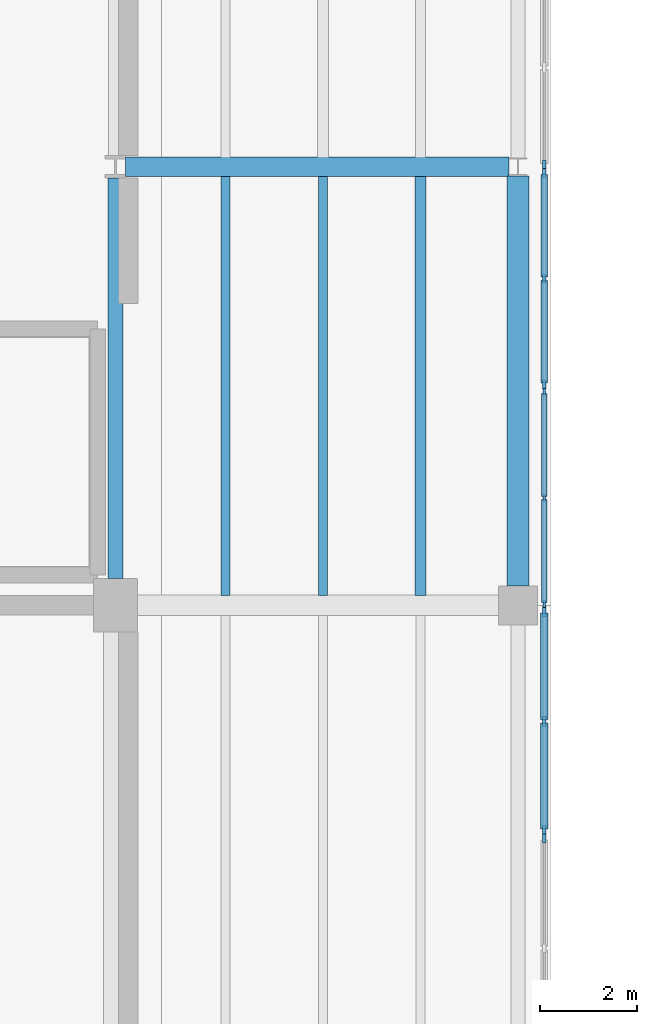
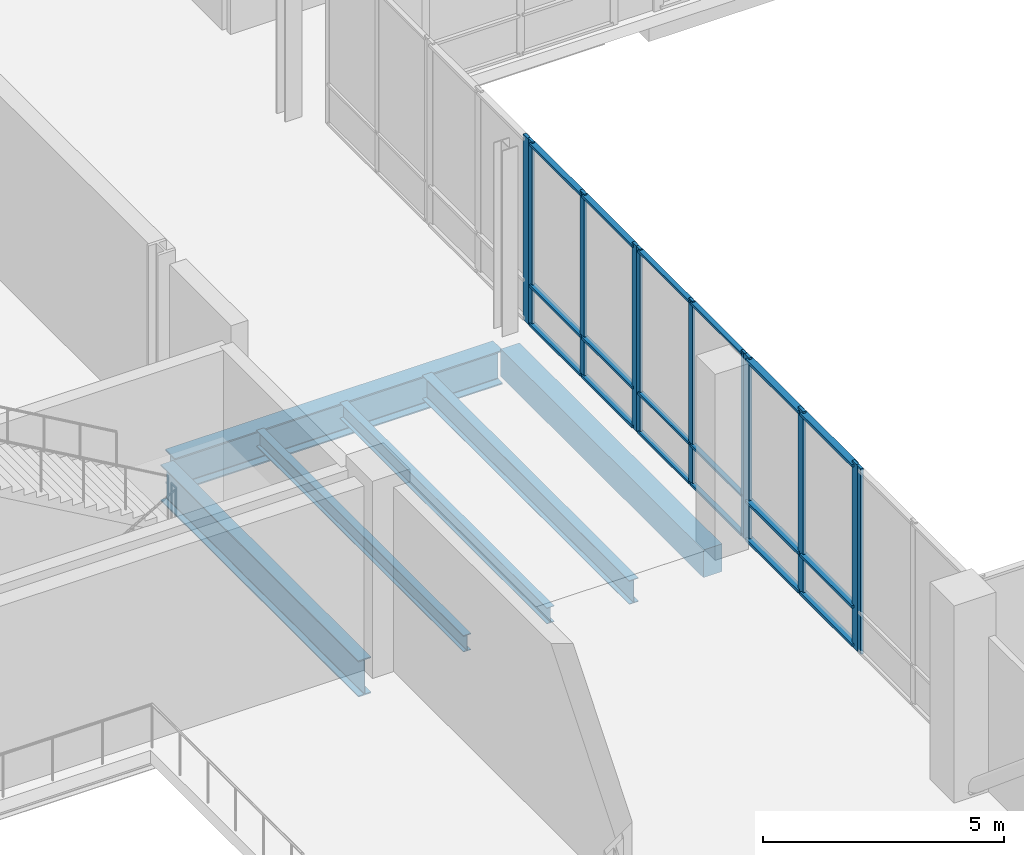
# One storey, part 36 of 73: 29 members, 6 beams, 5 elements without a shape of their own.
"""IFC4 building model written with IfcOpenShell, lengths in metres."""

from ifc_helpers import new_model, si_unit, direction, frame, origin, origin_2d, place, context, subcontext, project, spatial, rectangle, i_section, extrude, material, material_profile, profile_set, type_object, element, aggregate, save


model = new_model("IFC4")

# Units and contexts
model_context = context("Model", 3, precision=1e-05, world=origin(), true_north=direction((0.0, 1.0)))
body_context = subcontext(model_context, "Body", "Model", "MODEL_VIEW")
ifc_project = project(units=[si_unit("LENGTHUNIT", "METRE"), si_unit("AREAUNIT", "SQUARE_METRE"), si_unit("VOLUMEUNIT", "CUBIC_METRE"), si_unit("PLANEANGLEUNIT", "RADIAN"), si_unit("MASSUNIT", "GRAM", prefix="KILO")], contexts=[model_context])

# Site, building, storey
site_placement = place(None, origin())
site = spatial("IfcSite", under=ifc_project, at=site_placement, CompositionType="ELEMENT")
building_placement = place(site_placement, origin())
building = spatial("IfcBuilding", under=site, at=building_placement, Name="Trimount Lyric Opera House", CompositionType="ELEMENT")
storey_placement = place(building_placement, frame((0.0, 0.0, 10.0)))
storey = spatial("IfcBuildingStorey", under=building, at=storey_placement, Name="L02", CompositionType="ELEMENT", Elevation=10.0)

# Beams
ifc_material_1 = material(Name="Steel ASTM A992 Grade 50", Category="steel")
ifc_material_profile_1 = material_profile(ifc_material_1, i_section(OverallWidth=0.304931640625, OverallDepth=0.9189453125, WebThickness=0.017333984375, FlangeThickness=0.02783203125, FilletRadius=0.02001953125, at=origin_2d()), Name="W36X170")
ifc_profile_set_1 = profile_set([ifc_material_profile_1], Name="Steel ASTM A992 Grade 50")
beam_type_1 = type_object("IfcBeamType", Name="B-03", PredefinedType="BEAM", material=ifc_profile_set_1)
beam_1_placement = place(storey_placement, frame((113.739990234375, 84.550048828125, -0.784423828125), z_axis=(0.0, 1.0, 0.0), x_axis=(-1.0, 0.0, 0.0)))
element("IfcBeam", 1, at=beam_1_placement, inside=storey, type_object=beam_type_1, Name="L02 girder Y-0892", PredefinedType="BEAM", context=body_context, shape_type="SweptSolid", body=[
    extrude(i_section(OverallWidth=0.304931640625, OverallDepth=0.9189453125, WebThickness=0.017333984375, FlangeThickness=0.02783203125, FilletRadius=0.02001953125, at=origin_2d()), origin(), (0.0, 0.0, 1.0), 8.217529296875),
])
ifc_material_2 = material(Name="Steel ASTM A992 Grade 50", Category="steel")
ifc_material_profile_2 = material_profile(ifc_material_2, i_section(OverallWidth=0.40087890625, OverallDepth=0.861083984375, WebThickness=0.019775390625, FlangeThickness=0.032470703125, FilletRadius=0.02001953125, at=origin_2d()), Name="W33X221")
ifc_profile_set_2 = profile_set([ifc_material_profile_2], Name="Steel ASTM A992 Grade 50")
beam_type_2 = type_object("IfcBeamType", Name="B-04", PredefinedType="BEAM", material=ifc_profile_set_2)
beam_2_placement = place(storey_placement, frame((113.950927734375, 93.0, -0.755615234375), z_axis=(1.0, 0.0, 0.0), x_axis=(0.0, 1.0, 0.0)))
element("IfcBeam", 2, at=beam_2_placement, inside=storey, type_object=beam_type_2, Name="L02 girder X-0785", PredefinedType="BEAM", context=body_context, shape_type="SweptSolid", body=[
    extrude(i_section(OverallWidth=0.40087890625, OverallDepth=0.861083984375, WebThickness=0.019775390625, FlangeThickness=0.032470703125, FilletRadius=0.02001953125, at=origin_2d()), origin(), (0.0, 0.0, 1.0), 7.862548828125),
])
ifc_material_3 = material(Name="Steel ASTM A992 Grade 50", Category="steel")
ifc_material_profile_3 = material_profile(ifc_material_3, i_section(OverallWidth=0.22802734375, OverallDepth=0.60205078125, WebThickness=0.010498046875, FlangeThickness=0.014892578125, FilletRadius=0.012939453125, at=origin_2d()), Name="W24X68")
ifc_profile_set_3 = profile_set([ifc_material_profile_3], Name="Steel ASTM A992 Grade 50")
beam_type_3 = type_object("IfcBeamType", Name="J-01", PredefinedType="BEAM", material=ifc_profile_set_3)
beam_3_placement = place(storey_placement, frame((120.0, 84.20556640625, -0.591064453125), z_axis=(0.0, 1.0, 0.0), x_axis=(-1.0, 0.0, 0.0)))
element("IfcBeam", 3, at=beam_3_placement, inside=storey, type_object=beam_type_3, Name="L02 composite floor joist 0919", PredefinedType="BEAM", context=body_context, shape_type="SweptSolid", body=[
    extrude(i_section(OverallWidth=0.22802734375, OverallDepth=0.60205078125, WebThickness=0.010498046875, FlangeThickness=0.014892578125, FilletRadius=0.012939453125, at=origin_2d()), origin(), (0.0, 0.0, 1.0), 8.597900390625),
])
ifc_material_4 = material(Name="Steel ASTM A992 Grade 50", Category="steel")
ifc_material_profile_4 = material_profile(ifc_material_4, i_section(OverallWidth=0.180908203125, OverallDepth=0.4169921875, WebThickness=0.010986328125, FlangeThickness=0.018310546875, FilletRadius=0.010986328125, at=origin_2d()), Name="W16X57")
ifc_profile_set_4 = profile_set([ifc_material_profile_4], Name="Steel ASTM A992 Grade 50")
beam_type_4 = type_object("IfcBeamType", Name="J-05", PredefinedType="BEAM", material=ifc_profile_set_4)
beam_4_placement = place(storey_placement, frame((116.0, 84.20556640625, -0.49853515625), z_axis=(0.0, 1.0, 0.0), x_axis=(-1.0, 0.0, 0.0)))
element("IfcBeam", 4, at=beam_4_placement, inside=storey, type_object=beam_type_4, Name="L02 composite floor joist 0917", PredefinedType="BEAM", context=body_context, shape_type="SweptSolid", body=[
    extrude(i_section(OverallWidth=0.180908203125, OverallDepth=0.4169921875, WebThickness=0.010986328125, FlangeThickness=0.018310546875, FilletRadius=0.010986328125, at=origin_2d()), origin(), (0.0, 0.0, 1.0), 8.597900390625),
])
ifc_material_5 = material(Name="Steel ASTM A992 Grade 50", Category="steel")
ifc_material_profile_5 = material_profile(ifc_material_5, i_section(OverallWidth=0.177978515625, OverallDepth=0.404052734375, WebThickness=0.007568359375, FlangeThickness=0.010986328125, FilletRadius=0.010009765625, at=origin_2d()), Name="W16X36")
ifc_profile_set_5 = profile_set([ifc_material_profile_5], Name="Steel ASTM A992 Grade 50")
beam_type_5 = type_object("IfcBeamType", Name="J-06", PredefinedType="BEAM", material=ifc_profile_set_5)
beam_5_placement = place(storey_placement, frame((118.0, 84.20556640625, -0.491943359375), z_axis=(0.0, 1.0, 0.0), x_axis=(-1.0, 0.0, 0.0)))
element("IfcBeam", 5, at=beam_5_placement, inside=storey, type_object=beam_type_5, Name="L02 composite floor joist 0918", PredefinedType="BEAM", context=body_context, shape_type="SweptSolid", body=[
    extrude(i_section(OverallWidth=0.177978515625, OverallDepth=0.404052734375, WebThickness=0.007568359375, FlangeThickness=0.010986328125, FilletRadius=0.010009765625, at=origin_2d()), origin(), (0.0, 0.0, 1.0), 8.597900390625),
])

# Curtain wall, member
ifc_material_6 = material(Name="Thermally Broken Aluminium and Low-E Glass", Category="aluminium")
curtain_wall_type = type_object("IfcCurtainWallType", Name="CW-03", PredefinedType="NOTDEFINED", material=ifc_material_6)
curtain_wall_1_placement = place(storey_placement, origin())
curtain_wall_1 = element("IfcCurtainWall", 6, at=curtain_wall_1_placement, inside=storey, type_object=curtain_wall_type, Name="L02 curtain wall 240", PredefinedType="NOTDEFINED")
ifc_material_7 = material(Name="Anodised Aluminium 6063-T6", Category="aluminium")
ifc_material_profile_6 = material_profile(ifc_material_7, rectangle(XDim=0.070068359375, YDim=0.219970703125, at=origin_2d()), Name="ALU-MULL-70X220")
ifc_profile_set_6 = profile_set([ifc_material_profile_6], Name="Anodised Aluminium 6063-T6")
member_type_1 = type_object("IfcMemberType", Name="ML-01", PredefinedType="MULLION", material=ifc_profile_set_6)
member_1_placement = place(storey_placement, frame((122.5400390625, 93.034912109375, 0.0), z_axis=(0.0, 0.0, 1.0), x_axis=(1.0, 0.0, 0.0)))
member_1 = element("IfcMember", 7, at=member_1_placement, type_object=member_type_1, Name="CW-03 mullion 3", PredefinedType="MULLION", context=body_context, shape_type="SweptSolid", body=[
    extrude(rectangle(XDim=0.070068359375, YDim=0.219970703125, at=origin_2d()), origin(), (0.0, 0.0, 1.0), 4.7099609375),
])
aggregate(curtain_wall_1, [member_1])

# Curtain wall, members
curtain_wall_2_placement = place(storey_placement, origin())
curtain_wall_2 = element("IfcCurtainWall", 8, at=curtain_wall_2_placement, inside=storey, type_object=curtain_wall_type, Name="L02 curtain wall 243", PredefinedType="NOTDEFINED")
member_2_placement = place(storey_placement, frame((122.5400390625, 83.875, 0.0), z_axis=(0.0, 0.0, 1.0), x_axis=(1.0, 0.0, 0.0)))
member_2 = element("IfcMember", 9, at=member_2_placement, type_object=member_type_1, Name="CW-03 mullion 1", PredefinedType="MULLION", context=body_context, shape_type="SweptSolid", body=[
    extrude(rectangle(XDim=0.070068359375, YDim=0.219970703125, at=origin_2d()), origin(), (0.0, 0.0, 1.0), 4.7099609375),
])
member_3_placement = place(storey_placement, frame((122.5400390625, 81.625, 0.0), z_axis=(0.0, 0.0, 1.0), x_axis=(1.0, 0.0, 0.0)))
member_3 = element("IfcMember", 10, at=member_3_placement, type_object=member_type_1, Name="CW-03 mullion 2", PredefinedType="MULLION", context=body_context, shape_type="SweptSolid", body=[
    extrude(rectangle(XDim=0.070068359375, YDim=0.219970703125, at=origin_2d()), origin(), (0.0, 0.0, 1.0), 4.7099609375),
])
member_4_placement = place(storey_placement, frame((122.5400390625, 79.375, 0.0), z_axis=(0.0, 0.0, 1.0), x_axis=(1.0, 0.0, 0.0)))
member_4 = element("IfcMember", 11, at=member_4_placement, type_object=member_type_1, Name="CW-03 mullion 3", PredefinedType="MULLION", context=body_context, shape_type="SweptSolid", body=[
    extrude(rectangle(XDim=0.070068359375, YDim=0.219970703125, at=origin_2d()), origin(), (0.0, 0.0, 1.0), 4.7099609375),
])

curtain_wall_3_placement = place(storey_placement, origin())
curtain_wall_3 = element("IfcCurtainWall", 12, at=curtain_wall_3_placement, inside=storey, type_object=curtain_wall_type, Name="L02 curtain wall 241", PredefinedType="NOTDEFINED")
ifc_material_8 = material(Name="Anodised Aluminium 6063-T6", Category="aluminium")
ifc_material_profile_7 = material_profile(ifc_material_8, rectangle(XDim=0.06494140625, YDim=0.179931640625, at=origin_2d()), Name="ALU-MULL-65X180")
ifc_profile_set_7 = profile_set([ifc_material_profile_7], Name="Anodised Aluminium 6063-T6")
member_type_2 = type_object("IfcMemberType", Name="ML-02", PredefinedType="MULLION", material=ifc_profile_set_7)
member_5_placement = place(storey_placement, frame((122.5400390625, 92.87744140625, 0.0), z_axis=(0.0, 0.0, 1.0), x_axis=(1.0, 0.0, 0.0)))
member_5 = element("IfcMember", 13, at=member_5_placement, type_object=member_type_2, Name="CW-03 mullion 1", PredefinedType="MULLION", context=body_context, shape_type="SweptSolid", body=[
    extrude(rectangle(XDim=0.06494140625, YDim=0.179931640625, at=origin_2d()), origin(), (0.0, 0.0, 1.0), 4.7099609375),
])
member_6_placement = place(storey_placement, frame((122.5400390625, 90.705078125, 0.0), z_axis=(0.0, 0.0, 1.0), x_axis=(1.0, 0.0, 0.0)))
member_6 = element("IfcMember", 14, at=member_6_placement, type_object=member_type_2, Name="CW-03 mullion 2", PredefinedType="MULLION", context=body_context, shape_type="SweptSolid", body=[
    extrude(rectangle(XDim=0.06494140625, YDim=0.179931640625, at=origin_2d()), origin(), (0.0, 0.0, 1.0), 4.7099609375),
])
member_7_placement = place(storey_placement, frame((122.5400390625, 88.532470703125, 0.0), z_axis=(0.0, 0.0, 1.0), x_axis=(1.0, 0.0, 0.0)))
member_7 = element("IfcMember", 15, at=member_7_placement, type_object=member_type_2, Name="CW-03 mullion 3", PredefinedType="MULLION", context=body_context, shape_type="SweptSolid", body=[
    extrude(rectangle(XDim=0.06494140625, YDim=0.179931640625, at=origin_2d()), origin(), (0.0, 0.0, 1.0), 4.7099609375),
])

# Curtain wall, member
curtain_wall_4_placement = place(storey_placement, origin())
curtain_wall_4 = element("IfcCurtainWall", 16, at=curtain_wall_4_placement, inside=storey, type_object=curtain_wall_type, Name="L02 curtain wall 244", PredefinedType="NOTDEFINED")
member_8_placement = place(storey_placement, frame((122.5400390625, 79.217529296875, 0.0), z_axis=(0.0, 0.0, 1.0), x_axis=(1.0, 0.0, 0.0)))
member_8 = element("IfcMember", 17, at=member_8_placement, type_object=member_type_2, Name="CW-03 mullion 1", PredefinedType="MULLION", context=body_context, shape_type="SweptSolid", body=[
    extrude(rectangle(XDim=0.06494140625, YDim=0.179931640625, at=origin_2d()), origin(), (0.0, 0.0, 1.0), 4.7099609375),
])
aggregate(curtain_wall_4, [member_8])

# Curtain wall, members
curtain_wall_5_placement = place(storey_placement, origin())
curtain_wall_5 = element("IfcCurtainWall", 18, at=curtain_wall_5_placement, inside=storey, type_object=curtain_wall_type, Name="L02 curtain wall 242", PredefinedType="NOTDEFINED")
ifc_material_9 = material(Name="Anodised Aluminium 6063-T6", Category="aluminium")
ifc_material_profile_8 = material_profile(ifc_material_9, rectangle(XDim=0.06005859375, YDim=0.14990234375, at=origin_2d()), Name="ALU-MULL-60X150")
ifc_profile_set_8 = profile_set([ifc_material_profile_8], Name="Anodised Aluminium 6063-T6")
member_type_3 = type_object("IfcMemberType", Name="ML-03", PredefinedType="MULLION", material=ifc_profile_set_8)
member_9_placement = place(storey_placement, frame((122.5400390625, 88.3798828125, 0.0), z_axis=(0.0, 0.0, 1.0), x_axis=(1.0, 0.0, 0.0)))
member_9 = element("IfcMember", 19, at=member_9_placement, type_object=member_type_3, Name="CW-03 mullion 1", PredefinedType="MULLION", context=body_context, shape_type="SweptSolid", body=[
    extrude(rectangle(XDim=0.06005859375, YDim=0.14990234375, at=origin_2d()), origin(), (0.0, 0.0, 1.0), 4.7099609375),
])
member_10_placement = place(storey_placement, frame((122.5400390625, 86.205078125, 0.0), z_axis=(0.0, 0.0, 1.0), x_axis=(1.0, 0.0, 0.0)))
member_10 = element("IfcMember", 20, at=member_10_placement, type_object=member_type_3, Name="CW-03 mullion 2", PredefinedType="MULLION", context=body_context, shape_type="SweptSolid", body=[
    extrude(rectangle(XDim=0.06005859375, YDim=0.14990234375, at=origin_2d()), origin(), (0.0, 0.0, 1.0), 4.7099609375),
])
member_11_placement = place(storey_placement, frame((122.5400390625, 84.030029296875, 0.0), z_axis=(0.0, 0.0, 1.0), x_axis=(1.0, 0.0, 0.0)))
member_11 = element("IfcMember", 21, at=member_11_placement, type_object=member_type_3, Name="CW-03 mullion 3", PredefinedType="MULLION", context=body_context, shape_type="SweptSolid", body=[
    extrude(rectangle(XDim=0.06005859375, YDim=0.14990234375, at=origin_2d()), origin(), (0.0, 0.0, 1.0), 4.7099609375),
])

# Beam
ifc_material_10 = material(Name="Concrete C40/50", Category="concrete")
ifc_material_profile_9 = material_profile(ifc_material_10, rectangle(XDim=0.449951171875, YDim=0.699951171875, at=origin_2d()), Name="RC450X700")
ifc_profile_set_9 = profile_set([ifc_material_profile_9], Name="Concrete C40/50")
beam_type_6 = type_object("IfcBeamType", Name="SP-02", PredefinedType="SPANDREL", material=ifc_profile_set_9)
beam_6_placement = place(storey_placement, frame((122.0, 84.39990234375, -0.639892578125), z_axis=(0.0, 1.0, 0.0), x_axis=(-1.0, 0.0, 0.0)))
element("IfcBeam", 22, at=beam_6_placement, inside=storey, type_object=beam_type_6, Name="L02 girder Y-0899", PredefinedType="SPANDREL", context=body_context, shape_type="SweptSolid", body=[
    extrude(rectangle(XDim=0.449951171875, YDim=0.699951171875, at=origin_2d()), origin(), (0.0, 0.0, 1.0), 8.416015625),
])

# Member
ifc_material_11 = material(Name="Anodised Aluminium 6063-T6", Category="aluminium")
ifc_material_profile_10 = material_profile(ifc_material_11, rectangle(XDim=0.159912109375, YDim=0.070068359375, at=origin_2d()), Name="ALU-TRAN-70X160")
ifc_profile_set_10 = profile_set([ifc_material_profile_10], Name="Anodised Aluminium 6063-T6")
member_type_4 = type_object("IfcMemberType", Name="TR-01", PredefinedType="USERDEFINED", material=ifc_profile_set_10)
member_12_placement = place(storey_placement, frame((122.5400390625, 83.840087890625, 0.080078125), z_axis=(0.0, -1.0, 0.0), x_axis=(1.0, 0.0, 0.0)))
member_12 = element("IfcMember", 23, at=member_12_placement, type_object=member_type_4, Name="CW-03 transom 1.1", ObjectType="TRANSOM", PredefinedType="USERDEFINED", context=body_context, shape_type="SweptSolid", body=[
    extrude(rectangle(XDim=0.159912109375, YDim=0.070068359375, at=origin_2d()), origin(), (0.0, 0.0, 1.0), 2.18017578125),
])

member_13_placement = place(storey_placement, frame((122.5400390625, 83.840087890625, 1.050048828125), z_axis=(0.0, -1.0, 0.0), x_axis=(1.0, 0.0, 0.0)))
member_13 = element("IfcMember", 24, at=member_13_placement, type_object=member_type_4, Name="CW-03 transom 1.2", ObjectType="TRANSOM", PredefinedType="USERDEFINED", context=body_context, shape_type="SweptSolid", body=[
    extrude(rectangle(XDim=0.159912109375, YDim=0.070068359375, at=origin_2d()), origin(), (0.0, 0.0, 1.0), 2.18017578125),
])

member_14_placement = place(storey_placement, frame((122.5400390625, 83.840087890625, 4.6298828125), z_axis=(0.0, -1.0, 0.0), x_axis=(1.0, 0.0, 0.0)))
member_14 = element("IfcMember", 25, at=member_14_placement, type_object=member_type_4, Name="CW-03 transom 1.3", ObjectType="TRANSOM", PredefinedType="USERDEFINED", context=body_context, shape_type="SweptSolid", body=[
    extrude(rectangle(XDim=0.159912109375, YDim=0.070068359375, at=origin_2d()), origin(), (0.0, 0.0, 1.0), 2.18017578125),
])

member_15_placement = place(storey_placement, frame((122.5400390625, 81.590087890625, 0.080078125), z_axis=(0.0, -1.0, 0.0), x_axis=(1.0, 0.0, 0.0)))
member_15 = element("IfcMember", 26, at=member_15_placement, type_object=member_type_4, Name="CW-03 transom 2.1", ObjectType="TRANSOM", PredefinedType="USERDEFINED", context=body_context, shape_type="SweptSolid", body=[
    extrude(rectangle(XDim=0.159912109375, YDim=0.070068359375, at=origin_2d()), origin(), (0.0, 0.0, 1.0), 2.18017578125),
])

member_16_placement = place(storey_placement, frame((122.5400390625, 81.590087890625, 1.050048828125), z_axis=(0.0, -1.0, 0.0), x_axis=(1.0, 0.0, 0.0)))
member_16 = element("IfcMember", 27, at=member_16_placement, type_object=member_type_4, Name="CW-03 transom 2.2", ObjectType="TRANSOM", PredefinedType="USERDEFINED", context=body_context, shape_type="SweptSolid", body=[
    extrude(rectangle(XDim=0.159912109375, YDim=0.070068359375, at=origin_2d()), origin(), (0.0, 0.0, 1.0), 2.18017578125),
])

member_17_placement = place(storey_placement, frame((122.5400390625, 81.590087890625, 4.6298828125), z_axis=(0.0, -1.0, 0.0), x_axis=(1.0, 0.0, 0.0)))
member_17 = element("IfcMember", 28, at=member_17_placement, type_object=member_type_4, Name="CW-03 transom 2.3", ObjectType="TRANSOM", PredefinedType="USERDEFINED", context=body_context, shape_type="SweptSolid", body=[
    extrude(rectangle(XDim=0.159912109375, YDim=0.070068359375, at=origin_2d()), origin(), (0.0, 0.0, 1.0), 2.18017578125),
])

aggregate(curtain_wall_2, [member_2, member_3, member_4, member_12, member_13, member_14, member_15, member_16, member_17])

ifc_material_12 = material(Name="Anodised Aluminium 6063-T6", Category="aluminium")
ifc_material_profile_11 = material_profile(ifc_material_12, rectangle(XDim=0.135009765625, YDim=0.06494140625, at=origin_2d()), Name="ALU-TRAN-65X135")
ifc_profile_set_11 = profile_set([ifc_material_profile_11], Name="Anodised Aluminium 6063-T6")
member_type_5 = type_object("IfcMemberType", Name="TR-02", PredefinedType="USERDEFINED", material=ifc_profile_set_11)
member_18_placement = place(storey_placement, frame((122.5400390625, 92.844970703125, 0.0673828125), z_axis=(0.0, -1.0, 0.0), x_axis=(1.0, 0.0, 0.0)))
member_18 = element("IfcMember", 29, at=member_18_placement, type_object=member_type_5, Name="CW-03 transom 1.1", ObjectType="TRANSOM", PredefinedType="USERDEFINED", context=body_context, shape_type="SweptSolid", body=[
    extrude(rectangle(XDim=0.135009765625, YDim=0.06494140625, at=origin_2d()), origin(), (0.0, 0.0, 1.0), 2.107421875),
])

member_19_placement = place(storey_placement, frame((122.5400390625, 92.844970703125, 1.050048828125), z_axis=(0.0, -1.0, 0.0), x_axis=(1.0, 0.0, 0.0)))
member_19 = element("IfcMember", 30, at=member_19_placement, type_object=member_type_5, Name="CW-03 transom 1.2", ObjectType="TRANSOM", PredefinedType="USERDEFINED", context=body_context, shape_type="SweptSolid", body=[
    extrude(rectangle(XDim=0.135009765625, YDim=0.06494140625, at=origin_2d()), origin(), (0.0, 0.0, 1.0), 2.107421875),
])

member_20_placement = place(storey_placement, frame((122.5400390625, 92.844970703125, 4.642578125), z_axis=(0.0, -1.0, 0.0), x_axis=(1.0, 0.0, 0.0)))
member_20 = element("IfcMember", 31, at=member_20_placement, type_object=member_type_5, Name="CW-03 transom 1.3", ObjectType="TRANSOM", PredefinedType="USERDEFINED", context=body_context, shape_type="SweptSolid", body=[
    extrude(rectangle(XDim=0.135009765625, YDim=0.06494140625, at=origin_2d()), origin(), (0.0, 0.0, 1.0), 2.107421875),
])

member_21_placement = place(storey_placement, frame((122.5400390625, 90.672607421875, 0.0673828125), z_axis=(0.0, -1.0, 0.0), x_axis=(1.0, 0.0, 0.0)))
member_21 = element("IfcMember", 32, at=member_21_placement, type_object=member_type_5, Name="CW-03 transom 2.1", ObjectType="TRANSOM", PredefinedType="USERDEFINED", context=body_context, shape_type="SweptSolid", body=[
    extrude(rectangle(XDim=0.135009765625, YDim=0.06494140625, at=origin_2d()), origin(), (0.0, 0.0, 1.0), 2.107666015625),
])

member_22_placement = place(storey_placement, frame((122.5400390625, 90.672607421875, 1.050048828125), z_axis=(0.0, -1.0, 0.0), x_axis=(1.0, 0.0, 0.0)))
member_22 = element("IfcMember", 33, at=member_22_placement, type_object=member_type_5, Name="CW-03 transom 2.2", ObjectType="TRANSOM", PredefinedType="USERDEFINED", context=body_context, shape_type="SweptSolid", body=[
    extrude(rectangle(XDim=0.135009765625, YDim=0.06494140625, at=origin_2d()), origin(), (0.0, 0.0, 1.0), 2.107666015625),
])

member_23_placement = place(storey_placement, frame((122.5400390625, 90.672607421875, 4.642578125), z_axis=(0.0, -1.0, 0.0), x_axis=(1.0, 0.0, 0.0)))
member_23 = element("IfcMember", 34, at=member_23_placement, type_object=member_type_5, Name="CW-03 transom 2.3", ObjectType="TRANSOM", PredefinedType="USERDEFINED", context=body_context, shape_type="SweptSolid", body=[
    extrude(rectangle(XDim=0.135009765625, YDim=0.06494140625, at=origin_2d()), origin(), (0.0, 0.0, 1.0), 2.107666015625),
])

aggregate(curtain_wall_3, [member_5, member_6, member_7, member_18, member_19, member_20, member_21, member_22, member_23])

ifc_material_13 = material(Name="Anodised Aluminium 6063-T6", Category="aluminium")
ifc_material_profile_12 = material_profile(ifc_material_13, rectangle(XDim=0.114990234375, YDim=0.06005859375, at=origin_2d()), Name="ALU-TRAN-60X115")
ifc_profile_set_12 = profile_set([ifc_material_profile_12], Name="Anodised Aluminium 6063-T6")
member_type_6 = type_object("IfcMemberType", Name="TR-03", PredefinedType="USERDEFINED", material=ifc_profile_set_12)
member_24_placement = place(storey_placement, frame((122.5400390625, 88.35009765625, 0.0576171875), z_axis=(0.0, -1.0, 0.0), x_axis=(1.0, 0.0, 0.0)))
member_24 = element("IfcMember", 35, at=member_24_placement, type_object=member_type_6, Name="CW-03 transom 1.1", ObjectType="TRANSOM", PredefinedType="USERDEFINED", context=body_context, shape_type="SweptSolid", body=[
    extrude(rectangle(XDim=0.114990234375, YDim=0.06005859375, at=origin_2d()), origin(), (0.0, 0.0, 1.0), 2.114990234375),
])

member_25_placement = place(storey_placement, frame((122.5400390625, 88.35009765625, 1.050048828125), z_axis=(0.0, -1.0, 0.0), x_axis=(1.0, 0.0, 0.0)))
member_25 = element("IfcMember", 36, at=member_25_placement, type_object=member_type_6, Name="CW-03 transom 1.2", ObjectType="TRANSOM", PredefinedType="USERDEFINED", context=body_context, shape_type="SweptSolid", body=[
    extrude(rectangle(XDim=0.114990234375, YDim=0.06005859375, at=origin_2d()), origin(), (0.0, 0.0, 1.0), 2.114990234375),
])

member_26_placement = place(storey_placement, frame((122.5400390625, 88.35009765625, 4.652587890625), z_axis=(0.0, -1.0, 0.0), x_axis=(1.0, 0.0, 0.0)))
member_26 = element("IfcMember", 37, at=member_26_placement, type_object=member_type_6, Name="CW-03 transom 1.3", ObjectType="TRANSOM", PredefinedType="USERDEFINED", context=body_context, shape_type="SweptSolid", body=[
    extrude(rectangle(XDim=0.114990234375, YDim=0.06005859375, at=origin_2d()), origin(), (0.0, 0.0, 1.0), 2.114990234375),
])

member_27_placement = place(storey_placement, frame((122.5400390625, 86.175048828125, 0.0576171875), z_axis=(0.0, -1.0, 0.0), x_axis=(1.0, 0.0, 0.0)))
member_27 = element("IfcMember", 38, at=member_27_placement, type_object=member_type_6, Name="CW-03 transom 2.1", ObjectType="TRANSOM", PredefinedType="USERDEFINED", context=body_context, shape_type="SweptSolid", body=[
    extrude(rectangle(XDim=0.114990234375, YDim=0.06005859375, at=origin_2d()), origin(), (0.0, 0.0, 1.0), 2.114990234375),
])

member_28_placement = place(storey_placement, frame((122.5400390625, 86.175048828125, 1.050048828125), z_axis=(0.0, -1.0, 0.0), x_axis=(1.0, 0.0, 0.0)))
member_28 = element("IfcMember", 39, at=member_28_placement, type_object=member_type_6, Name="CW-03 transom 2.2", ObjectType="TRANSOM", PredefinedType="USERDEFINED", context=body_context, shape_type="SweptSolid", body=[
    extrude(rectangle(XDim=0.114990234375, YDim=0.06005859375, at=origin_2d()), origin(), (0.0, 0.0, 1.0), 2.114990234375),
])

member_29_placement = place(storey_placement, frame((122.5400390625, 86.175048828125, 4.652587890625), z_axis=(0.0, -1.0, 0.0), x_axis=(1.0, 0.0, 0.0)))
member_29 = element("IfcMember", 40, at=member_29_placement, type_object=member_type_6, Name="CW-03 transom 2.3", ObjectType="TRANSOM", PredefinedType="USERDEFINED", context=body_context, shape_type="SweptSolid", body=[
    extrude(rectangle(XDim=0.114990234375, YDim=0.06005859375, at=origin_2d()), origin(), (0.0, 0.0, 1.0), 2.114990234375),
])

aggregate(curtain_wall_5, [member_9, member_10, member_11, member_24, member_25, member_26, member_27, member_28, member_29])

save(model, "model.ifc")
